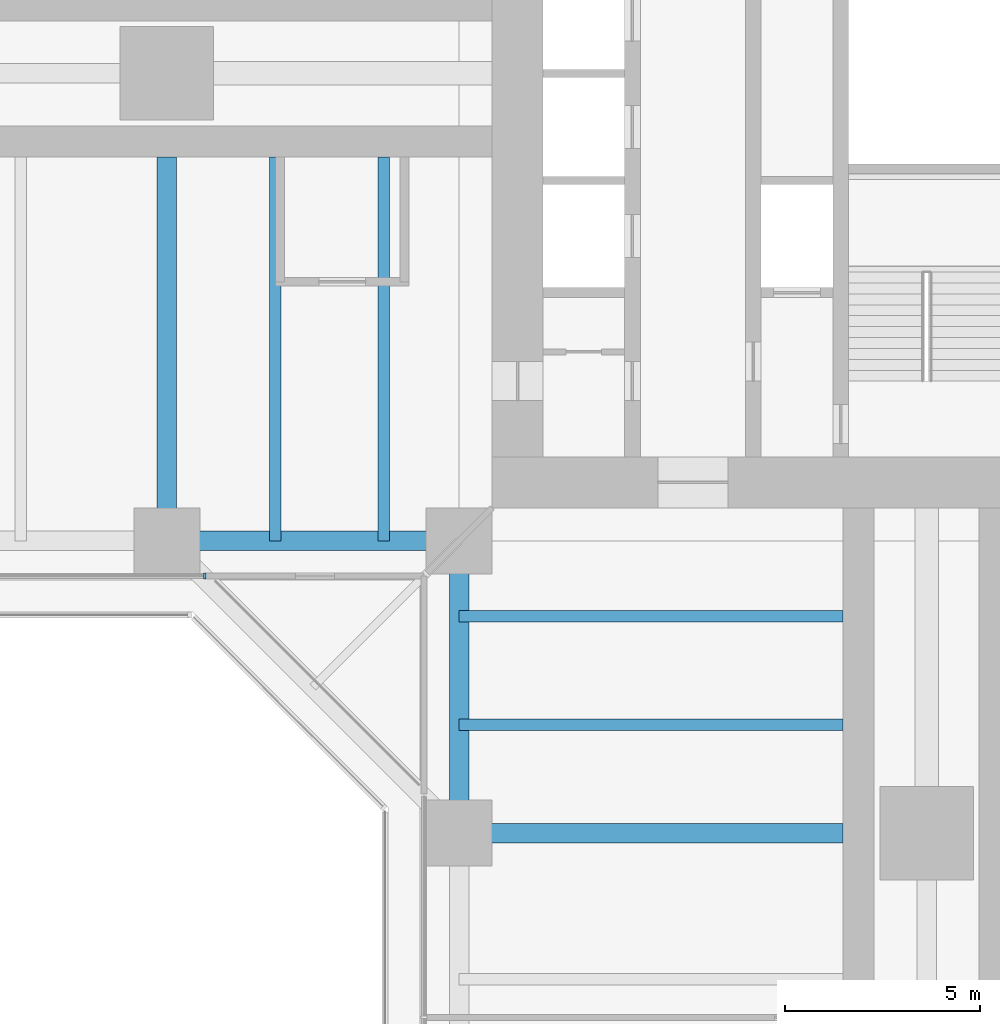
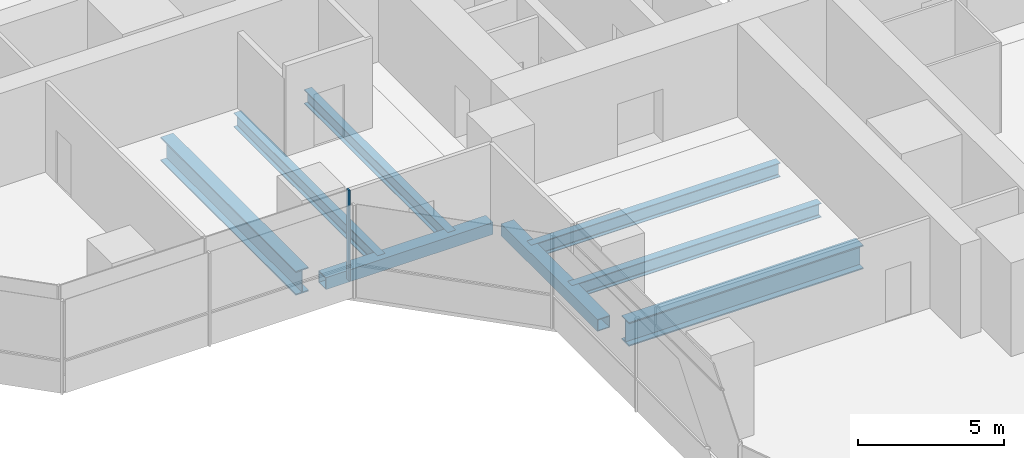
# One storey, part 4 of 22: 8 beams, 1 member, 1 element without a shape of its own.
"""IFC4 building model written with IfcOpenShell, lengths in metres."""

from ifc_helpers import new_model, si_unit, direction, frame, origin, origin_2d, place, context, subcontext, project, spatial, rectangle, hollow_rectangle, i_section, extrude, material, material_profile, profile_set, type_object, element, aggregate, save


model = new_model("IFC4")

# Units and contexts
model_context = context("Model", 3, precision=1e-05, world=origin(), true_north=direction((0.0, 1.0)))
body_context = subcontext(model_context, "Body", "Model", "MODEL_VIEW")
ifc_project = project(units=[si_unit("LENGTHUNIT", "METRE"), si_unit("AREAUNIT", "SQUARE_METRE"), si_unit("VOLUMEUNIT", "CUBIC_METRE"), si_unit("PLANEANGLEUNIT", "RADIAN"), si_unit("MASSUNIT", "GRAM", prefix="KILO")], contexts=[model_context])

# Site, building, storey
site_placement = place(None, origin())
site = spatial("IfcSite", under=ifc_project, at=site_placement, CompositionType="ELEMENT")
building_placement = place(site_placement, origin())
building = spatial("IfcBuilding", under=site, at=building_placement, Name="Mizan Broadcast Tower", CompositionType="ELEMENT")
storey_placement = place(building_placement, frame((0.0, 0.0, 105.89990234375)))
storey = spatial("IfcBuildingStorey", under=building, at=storey_placement, Name="L23", CompositionType="ELEMENT", Elevation=105.89990234375)

# Beams
ifc_material_1 = material(Name="Steel S355", Category="steel")
ifc_material_profile_1 = material_profile(ifc_material_1, hollow_rectangle(XDim=0.5, YDim=0.5, WallThickness=0.030029296875, at=origin_2d()), Name="BOX 500x500x30")
ifc_profile_set_1 = profile_set([ifc_material_profile_1], Name="Steel S355")
beam_type_1 = type_object("IfcBeamType", Name="EDGE BEAM BOX 500x500x30", PredefinedType="SPANDREL", material=ifc_profile_set_1)
for number, where, z_axis, x_axis, name in (
    (1, (-12.449951171875, -12.0, -0.3798828125), (-1.0, 0.0, 0.0), (0.0, -1.0, 0.0), "Edge beam BOX 500x500x30 L23 west arm"),
    (2, (-12.0, -12.449951171875, -0.3798828125), (0.0, -1.0, 0.0), (1.0, 0.0, 0.0), "Edge beam BOX 500x500x30 L23 south arm"),
):
    element("IfcBeam", number, at=place(storey_placement, frame(where, z_axis=z_axis, x_axis=x_axis)), inside=storey, type_object=beam_type_1, Name=name, PredefinedType="SPANDREL", context=body_context, shape_type="SweptSolid", body=[
        extrude(hollow_rectangle(XDim=0.5, YDim=0.5, WallThickness=0.030029296875, at=origin_2d()), origin(), (0.0, 0.0, 1.0), 6.60009765625),
    ])
ifc_material_2 = material(Name="Steel S460", Category="steel")
ifc_material_profile_2 = material_profile(ifc_material_2, i_section(OverallWidth=0.5, OverallDepth=1.0, WebThickness=0.02490234375, FlangeThickness=0.050048828125, at=origin_2d()), Name="WPG 1000x500")
ifc_profile_set_2 = profile_set([ifc_material_profile_2], Name="Steel S460")
beam_type_2 = type_object("IfcBeamType", Name="GIRDER WPG 1000x500", PredefinedType="BEAM", material=ifc_profile_set_2)
for number, where, z_axis, x_axis, name in (
    (3, (-19.5, -11.408935546875, -0.6298828125), (0.0, 1.0, 0.0), (-1.0, 0.0, 0.0), "Girder WPG 1000x500 L23 west arm"),
    (4, (-11.408935546875, -19.5, -0.6298828125), (1.0, 0.0, 0.0), (0.0, 1.0, 0.0), "Girder WPG 1000x500 L23 south arm"),
):
    element("IfcBeam", number, at=place(storey_placement, frame(where, z_axis=z_axis, x_axis=x_axis)), inside=storey, type_object=beam_type_2, Name=name, PredefinedType="BEAM", context=body_context, shape_type="SweptSolid", body=[
        extrude(i_section(OverallWidth=0.5, OverallDepth=1.0, WebThickness=0.02490234375, FlangeThickness=0.050048828125, at=origin_2d()), origin(), (0.0, 0.0, 1.0), 9.259033203125),
    ])

# Curtain wall, member
ifc_material_3 = material(Name="Aluminium framed glazing", Category="aluminium")
curtain_wall_type = type_object("IfcCurtainWallType", Name="INNER SKIN LOW ZONE", PredefinedType="USERDEFINED", material=ifc_material_3)
curtain_wall_placement = place(storey_placement, origin())
curtain_wall = element("IfcCurtainWall", 5, at=curtain_wall_placement, inside=storey, type_object=curtain_wall_type, Name="Inner skin low zone L23 W side", ObjectType="INNER SKIN LOW ZONE", PredefinedType="USERDEFINED")
ifc_material_4 = material(Name="Aluminium, pale anodised", Category="aluminium")
ifc_material_profile_3 = material_profile(ifc_material_4, rectangle(XDim=0.159912109375, YDim=0.06005859375, at=origin_2d()), Name="MULLION 160x60")
ifc_profile_set_3 = profile_set([ifc_material_profile_3], Name="Aluminium, pale anodised")
member_type = type_object("IfcMemberType", Name="INNER SKIN MULLION 60x160", PredefinedType="MULLION", material=ifc_profile_set_3)
member_placement = place(storey_placement, frame((-18.530029296875, -12.89990234375, 0.0), z_axis=(0.0, 0.0, 1.0), x_axis=(0.0, 1.0, 0.0)))
member = element("IfcMember", 6, at=member_placement, type_object=member_type, Name="Inner skin low zone L23 W side mullion 3", PredefinedType="MULLION", context=body_context, shape_type="SweptSolid", body=[
    extrude(rectangle(XDim=0.159912109375, YDim=0.06005859375, at=origin_2d()), origin(), (0.0, 0.0, 1.0), 3.77001953125),
])
aggregate(curtain_wall, [member])

# Beams
ifc_material_5 = material(Name="Steel S355", Category="steel")
ifc_material_profile_4 = material_profile(ifc_material_5, i_section(OverallWidth=0.300048828125, OverallDepth=0.590087890625, WebThickness=0.012939453125, FlangeThickness=0.02490234375, FilletRadius=0.027099609375, at=origin_2d()), Name="HEA 600")
ifc_profile_set_4 = profile_set([ifc_material_profile_4], Name="Steel S355")
beam_type_3 = type_object("IfcBeamType", Name="SECONDARY BEAM HEA 600", PredefinedType="JOIST", material=ifc_profile_set_4)
for number, where, z_axis, x_axis, name in (
    (7, (-13.933349609375, -12.0, -0.4248046875), (0.0, 1.0, 0.0), (-1.0, 0.0, 0.0), "Secondary beam HEA 600 L23 west arm"),
    (8, (-16.716552734375, -12.0, -0.4248046875), (0.0, 1.0, 0.0), (-1.0, 0.0, 0.0), "Secondary beam HEA 600 L23 west arm"),
    (9, (-12.0, -13.933349609375, -0.4248046875), (1.0, 0.0, 0.0), (0.0, 1.0, 0.0), "Secondary beam HEA 600 L23 south arm"),
    (10, (-12.0, -16.716552734375, -0.4248046875), (1.0, 0.0, 0.0), (0.0, 1.0, 0.0), "Secondary beam HEA 600 L23 south arm"),
):
    element("IfcBeam", number, at=place(storey_placement, frame(where, z_axis=z_axis, x_axis=x_axis)), inside=storey, type_object=beam_type_3, Name=name, PredefinedType="JOIST", context=body_context, shape_type="SweptSolid", body=[
        extrude(i_section(OverallWidth=0.300048828125, OverallDepth=0.590087890625, WebThickness=0.012939453125, FlangeThickness=0.02490234375, FilletRadius=0.027099609375, at=origin_2d()), origin(), (0.0, 0.0, 1.0), 9.85009765625),
    ])

save(model, "model.ifc")
